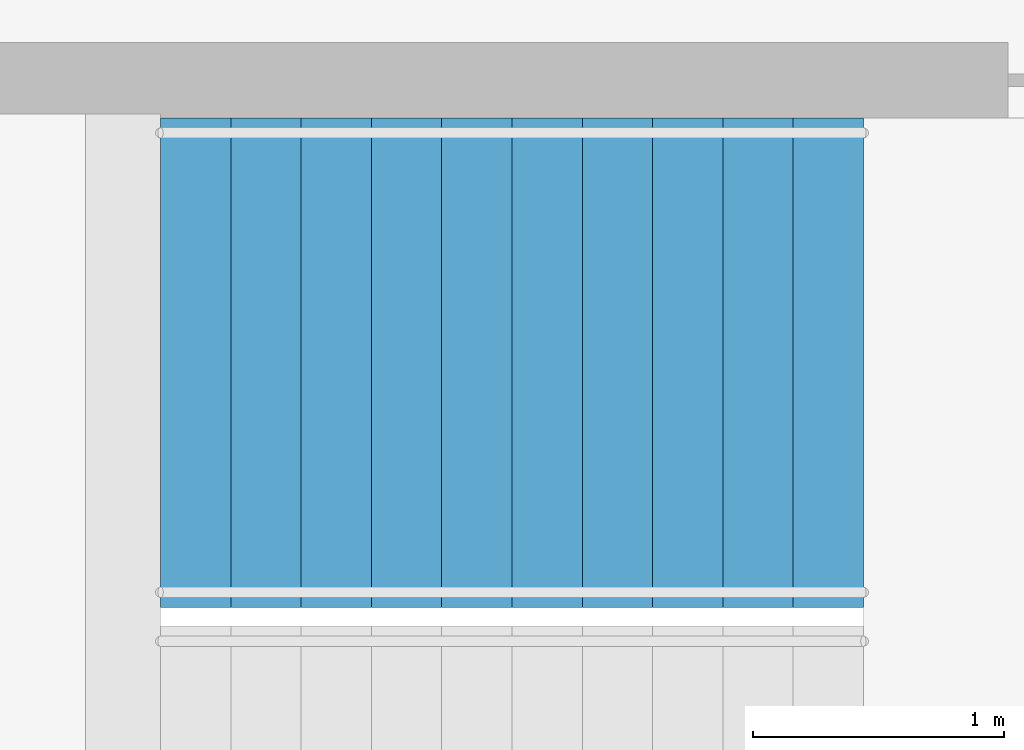
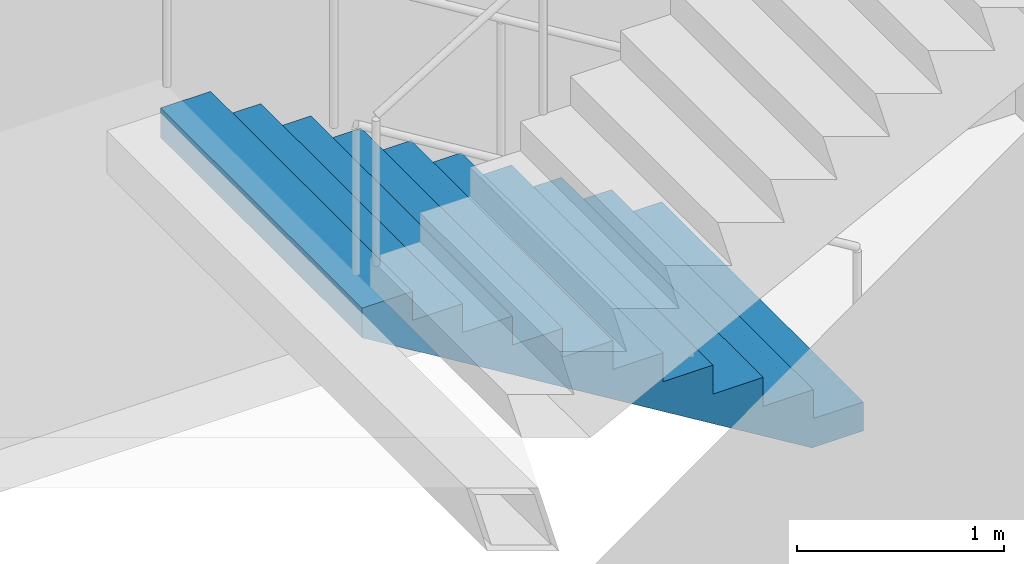
# One storey, part 19 of 20: 1 stair flight, 1 element without a shape of its own.
"""IFC4 building model written with IfcOpenShell, lengths in metres."""

from ifc_helpers import new_model, si_unit, direction, frame, origin, place, context, subcontext, project, spatial, triangles, material, type_object, element, aggregate, save


model = new_model("IFC4")

# Units and contexts
model_context = context("Model", 3, precision=1e-05, world=origin(), true_north=direction((0.0, 1.0)))
body_context = subcontext(model_context, "Body", "Model", "MODEL_VIEW")
ifc_project = project(units=[si_unit("LENGTHUNIT", "METRE"), si_unit("AREAUNIT", "SQUARE_METRE"), si_unit("VOLUMEUNIT", "CUBIC_METRE"), si_unit("PLANEANGLEUNIT", "RADIAN"), si_unit("MASSUNIT", "GRAM", prefix="KILO")], contexts=[model_context])

# Site, building, storey
site_placement = place(None, origin())
site = spatial("IfcSite", under=ifc_project, at=site_placement, CompositionType="ELEMENT")
building_placement = place(site_placement, origin())
building = spatial("IfcBuilding", under=site, at=building_placement, Name="Orbita Commons", CompositionType="ELEMENT")
storey_placement = place(building_placement, frame((0.0, 0.0, 129.39990234375)))
storey = spatial("IfcBuildingStorey", under=building, at=storey_placement, Name="L32", CompositionType="ELEMENT", Elevation=129.39990234375)

# Stair, stair flight
ifc_material_1 = material(Name="Precast concrete C40/50", Category="concrete")
stair_type = type_object("IfcStairType", Name="Exit stair S2 2 flights 11 risers 170", PredefinedType="HALF_TURN_STAIR", material=ifc_material_1)
stair_placement = place(storey_placement, origin())
stair = element("IfcStair", 1, at=stair_placement, inside=storey, type_object=stair_type, Name="Exit stair S2 L32", PredefinedType="HALF_TURN_STAIR")
ifc_material_2 = material(Name="Precast concrete C40/50", Category="concrete")
stair_flight_type = type_object("IfcStairFlightType", Name="Stair flight 11 risers 170 x 280", PredefinedType="STRAIGHT", material=ifc_material_2)
stair_flight_placement = place(storey_placement, frame((63.550048828125, 29.27490234375, 0.0), z_axis=(0.0, 0.0, 1.0), x_axis=(-1.0, 0.0, 0.0)))
stair_flight = element("IfcStairFlight", 2, at=stair_flight_placement, type_object=stair_flight_type, Name="S2 flight 1", NumberOfRisers=11, NumberOfTreads=10, PredefinedType="STRAIGHT", RiserHeight=0.170454545, TreadLength=0.28, context=body_context, shape_type="Tessellation", body=[
    triangles([(0.0, 0.974976, 0.0), (0.0, 0.974976, 0.021307), (0.0, 0.81248, 0.021307), (0.0, 0.81248, 0.0), (0.0, 0.649984, 0.021307), (0.0, 0.649984, 0.0), (0.0, 0.487488, 0.021307), (0.0, 0.487488, 0.0), (0.0, 0.324992, 0.021307), (0.0, 0.324992, 0.0), (0.0, 0.162496, 0.021307), (0.0, 0.162496, 0.0), (0.0, 0.0, 0.021307), (0.0, 0.0, 0.0), (0.0, -0.162496, 0.021307), (0.0, -0.162496, 0.0), (0.0, -0.324992, 0.021307), (0.0, -0.324992, 0.0), (0.0, -0.487488, 0.021307), (0.0, -0.487488, 0.0), (0.0, -0.649984, 0.021307), (0.0, -0.649984, 0.0), (0.0, -0.81248, 0.021307), (0.0, -0.81248, 0.0), (0.0, -0.974976, 0.021307), (0.0, -0.974976, 0.0), (0.0, 0.974976, 0.042614), (0.0, 0.81248, 0.042614), (0.0, 0.649984, 0.042614), (0.0, 0.487488, 0.042614), (0.0, 0.324992, 0.042614), (0.0, 0.162496, 0.042614), (0.0, 0.0, 0.042614), (0.0, -0.162496, 0.042614), (0.0, -0.324992, 0.042614), (0.0, -0.487488, 0.042614), (0.0, -0.649984, 0.042614), (0.0, -0.81248, 0.042614), (0.0, -0.974976, 0.042614), (0.0, 0.974976, 0.06392), (0.0, 0.81248, 0.06392), (0.0, 0.649984, 0.06392), (0.0, 0.487488, 0.06392), (0.0, 0.324992, 0.06392), (0.0, 0.162496, 0.06392), (0.0, 0.0, 0.06392), (0.0, -0.162496, 0.06392), (0.0, -0.324992, 0.06392), (0.0, -0.487488, 0.06392), (0.0, -0.649984, 0.06392), (0.0, -0.81248, 0.06392), (0.0, -0.974976, 0.06392), (0.0, 0.974976, 0.085227), (0.0, 0.81248, 0.085227), (0.0, 0.649984, 0.085227), (0.0, 0.487488, 0.085227), (0.0, 0.324992, 0.085227), (0.0, 0.162496, 0.085227), (0.0, 0.0, 0.085227), (0.0, -0.162496, 0.085227), (0.0, -0.324992, 0.085227), (0.0, -0.487488, 0.085227), (0.0, -0.649984, 0.085227), (0.0, -0.81248, 0.085227), (0.0, -0.974976, 0.085227), (0.0, 0.974976, 0.106534), (0.0, 0.81248, 0.106534), (0.0, 0.649984, 0.106534), (0.0, 0.487488, 0.106534), (0.0, 0.324992, 0.106534), (0.0, 0.162496, 0.106534), (0.0, 0.0, 0.106534), (0.0, -0.162496, 0.106534), (0.0, -0.324992, 0.106534), (0.0, -0.487488, 0.106534), (0.0, -0.649984, 0.106534), (0.0, -0.81248, 0.106534), (0.0, -0.974976, 0.106534), (0.0, 0.974976, 0.127841), (0.0, 0.81248, 0.127841), (0.0, 0.649984, 0.127841), (0.0, 0.487488, 0.127841), (0.0, 0.324992, 0.127841), (0.0, 0.162496, 0.127841), (0.0, 0.0, 0.127841), (0.0, -0.162496, 0.127841), (0.0, -0.324992, 0.127841), (0.0, -0.487488, 0.127841), (0.0, -0.649984, 0.127841), (0.0, -0.81248, 0.127841), (0.0, -0.974976, 0.127841), (0.0, 0.974976, 0.149148), (0.0, 0.81248, 0.149148), (0.0, 0.649984, 0.149148), (0.0, 0.487488, 0.149148), (0.0, 0.324992, 0.149148), (0.0, 0.162496, 0.149148), (0.0, 0.0, 0.149148), (0.0, -0.162496, 0.149148), (0.0, -0.324992, 0.149148), (0.0, -0.487488, 0.149148), (0.0, -0.649984, 0.149148), (0.0, -0.81248, 0.149148), (0.0, -0.974976, 0.149148), (0.0, 0.974976, 0.170455), (0.0, 0.81248, 0.170455), (0.0, 0.649984, 0.170455), (0.0, 0.487488, 0.170455), (0.0, 0.324992, 0.170455), (0.0, 0.162496, 0.170455), (0.0, 0.0, 0.170455), (0.0, -0.162496, 0.170455), (0.0, -0.324992, 0.170455), (0.0, -0.487488, 0.170455), (0.0, -0.649984, 0.170455), (0.0, -0.81248, 0.170455), (0.0, -0.974976, 0.170455), (0.28, 0.974976, 0.170455), (0.28, 0.81248, 0.170455), (0.28, 0.649984, 0.170455), (0.28, 0.487488, 0.170455), (0.28, 0.324992, 0.170455), (0.28, 0.162496, 0.170455), (0.28, 0.0, 0.170455), (0.28, -0.162496, 0.170455), (0.28, -0.324992, 0.170455), (0.28, -0.487488, 0.170455), (0.28, -0.649984, 0.170455), (0.28, -0.81248, 0.170455), (0.28, -0.974976, 0.170455), (0.28, 0.974976, 0.340909), (0.28, 0.81248, 0.340909), (0.28, 0.649984, 0.340909), (0.28, 0.487488, 0.340909), (0.28, 0.324992, 0.340909), (0.28, 0.162496, 0.340909), (0.28, 0.0, 0.340909), (0.28, -0.162496, 0.340909), (0.28, -0.324992, 0.340909), (0.28, -0.487488, 0.340909), (0.28, -0.649984, 0.340909), (0.28, -0.81248, 0.340909), (0.28, -0.974976, 0.340909), (0.56, 0.974976, 0.340909), (0.56, 0.81248, 0.340909), (0.56, 0.649984, 0.340909), (0.56, 0.487488, 0.340909), (0.56, 0.324992, 0.340909), (0.56, 0.162496, 0.340909), (0.56, 0.0, 0.340909), (0.56, -0.162496, 0.340909), (0.56, -0.324992, 0.340909), (0.56, -0.487488, 0.340909), (0.56, -0.649984, 0.340909), (0.56, -0.81248, 0.340909), (0.56, -0.974976, 0.340909), (0.56, 0.974976, 0.511364), (0.56, 0.81248, 0.511364), (0.56, 0.649984, 0.511364), (0.56, 0.487488, 0.511364), (0.56, 0.324992, 0.511364), (0.56, 0.162496, 0.511364), (0.56, 0.0, 0.511364), (0.56, -0.162496, 0.511364), (0.56, -0.324992, 0.511364), (0.56, -0.487488, 0.511364), (0.56, -0.649984, 0.511364), (0.56, -0.81248, 0.511364), (0.56, -0.974976, 0.511364), (0.84, 0.974976, 0.511364), (0.84, 0.81248, 0.511364), (0.84, 0.649984, 0.511364), (0.84, 0.487488, 0.511364), (0.84, 0.324992, 0.511364), (0.84, 0.162496, 0.511364), (0.84, 0.0, 0.511364), (0.84, -0.162496, 0.511364), (0.84, -0.324992, 0.511364), (0.84, -0.487488, 0.511364), (0.84, -0.649984, 0.511364), (0.84, -0.81248, 0.511364), (0.84, -0.974976, 0.511364), (0.84, 0.974976, 0.681818), (0.84, 0.81248, 0.681818), (0.84, 0.649984, 0.681818), (0.84, 0.487488, 0.681818), (0.84, 0.324992, 0.681818), (0.84, 0.162496, 0.681818), (0.84, 0.0, 0.681818), (0.84, -0.162496, 0.681818), (0.84, -0.324992, 0.681818), (0.84, -0.487488, 0.681818), (0.84, -0.649984, 0.681818), (0.84, -0.81248, 0.681818), (0.84, -0.974976, 0.681818), (1.12, 0.974976, 0.681818), (1.12, 0.81248, 0.681818), (1.12, 0.649984, 0.681818), (1.12, 0.487488, 0.681818), (1.12, 0.324992, 0.681818), (1.12, 0.162496, 0.681818), (1.12, 0.0, 0.681818), (1.12, -0.162496, 0.681818), (1.12, -0.324992, 0.681818), (1.12, -0.487488, 0.681818), (1.12, -0.649984, 0.681818), (1.12, -0.81248, 0.681818), (1.12, -0.974976, 0.681818), (1.12, 0.974976, 0.852273), (1.12, 0.81248, 0.852273), (1.12, 0.649984, 0.852273), (1.12, 0.487488, 0.852273), (1.12, 0.324992, 0.852273), (1.12, 0.162496, 0.852273), (1.12, 0.0, 0.852273), (1.12, -0.162496, 0.852273), (1.12, -0.324992, 0.852273), (1.12, -0.487488, 0.852273), (1.12, -0.649984, 0.852273), (1.12, -0.81248, 0.852273), (1.12, -0.974976, 0.852273), (1.4, 0.974976, 0.852273), (1.4, 0.81248, 0.852273), (1.4, 0.649984, 0.852273), (1.4, 0.487488, 0.852273), (1.4, 0.324992, 0.852273), (1.4, 0.162496, 0.852273), (1.4, 0.0, 0.852273), (1.4, -0.162496, 0.852273), (1.4, -0.324992, 0.852273), (1.4, -0.487488, 0.852273), (1.4, -0.649984, 0.852273), (1.4, -0.81248, 0.852273), (1.4, -0.974976, 0.852273), (1.4, 0.974976, 1.022727), (1.4, 0.81248, 1.022727), (1.4, 0.649984, 1.022727), (1.4, 0.487488, 1.022727), (1.4, 0.324992, 1.022727), (1.4, 0.162496, 1.022727), (1.4, 0.0, 1.022727), (1.4, -0.162496, 1.022727), (1.4, -0.324992, 1.022727), (1.4, -0.487488, 1.022727), (1.4, -0.649984, 1.022727), (1.4, -0.81248, 1.022727), (1.4, -0.974976, 1.022727), (1.68, 0.974976, 1.022727), (1.68, 0.81248, 1.022727), (1.68, 0.649984, 1.022727), (1.68, 0.487488, 1.022727), (1.68, 0.324992, 1.022727), (1.68, 0.162496, 1.022727), (1.68, 0.0, 1.022727), (1.68, -0.162496, 1.022727), (1.68, -0.324992, 1.022727), (1.68, -0.487488, 1.022727), (1.68, -0.649984, 1.022727), (1.68, -0.81248, 1.022727), (1.68, -0.974976, 1.022727), (1.68, 0.974976, 1.193182), (1.68, 0.81248, 1.193182), (1.68, 0.649984, 1.193182), (1.68, 0.487488, 1.193182), (1.68, 0.324992, 1.193182), (1.68, 0.162496, 1.193182), (1.68, 0.0, 1.193182), (1.68, -0.162496, 1.193182), (1.68, -0.324992, 1.193182), (1.68, -0.487488, 1.193182), (1.68, -0.649984, 1.193182), (1.68, -0.81248, 1.193182), (1.68, -0.974976, 1.193182), (1.96, 0.974976, 1.193182), (1.96, 0.81248, 1.193182), (1.96, 0.649984, 1.193182), (1.96, 0.487488, 1.193182), (1.96, 0.324992, 1.193182), (1.96, 0.162496, 1.193182), (1.96, 0.0, 1.193182), (1.96, -0.162496, 1.193182), (1.96, -0.324992, 1.193182), (1.96, -0.487488, 1.193182), (1.96, -0.649984, 1.193182), (1.96, -0.81248, 1.193182), (1.96, -0.974976, 1.193182), (1.96, 0.974976, 1.363636), (1.96, 0.81248, 1.363636), (1.96, 0.649984, 1.363636), (1.96, 0.487488, 1.363636), (1.96, 0.324992, 1.363636), (1.96, 0.162496, 1.363636), (1.96, 0.0, 1.363636), (1.96, -0.162496, 1.363636), (1.96, -0.324992, 1.363636), (1.96, -0.487488, 1.363636), (1.96, -0.649984, 1.363636), (1.96, -0.81248, 1.363636), (1.96, -0.974976, 1.363636), (2.24, 0.974976, 1.363636), (2.24, 0.81248, 1.363636), (2.24, 0.649984, 1.363636), (2.24, 0.487488, 1.363636), (2.24, 0.324992, 1.363636), (2.24, 0.162496, 1.363636), (2.24, 0.0, 1.363636), (2.24, -0.162496, 1.363636), (2.24, -0.324992, 1.363636), (2.24, -0.487488, 1.363636), (2.24, -0.649984, 1.363636), (2.24, -0.81248, 1.363636), (2.24, -0.974976, 1.363636), (2.24, 0.974976, 1.534091), (2.24, 0.81248, 1.534091), (2.24, 0.649984, 1.534091), (2.24, 0.487488, 1.534091), (2.24, 0.324992, 1.534091), (2.24, 0.162496, 1.534091), (2.24, 0.0, 1.534091), (2.24, -0.162496, 1.534091), (2.24, -0.324992, 1.534091), (2.24, -0.487488, 1.534091), (2.24, -0.649984, 1.534091), (2.24, -0.81248, 1.534091), (2.24, -0.974976, 1.534091), (2.52, 0.974976, 1.534091), (2.52, 0.81248, 1.534091), (2.52, 0.649984, 1.534091), (2.52, 0.487488, 1.534091), (2.52, 0.324992, 1.534091), (2.52, 0.162496, 1.534091), (2.52, 0.0, 1.534091), (2.52, -0.162496, 1.534091), (2.52, -0.324992, 1.534091), (2.52, -0.487488, 1.534091), (2.52, -0.649984, 1.534091), (2.52, -0.81248, 1.534091), (2.52, -0.974976, 1.534091), (2.52, 0.974976, 1.704545), (2.52, 0.81248, 1.704545), (2.52, 0.649984, 1.704545), (2.52, 0.487488, 1.704545), (2.52, 0.324992, 1.704545), (2.52, 0.162496, 1.704545), (2.52, 0.0, 1.704545), (2.52, -0.162496, 1.704545), (2.52, -0.324992, 1.704545), (2.52, -0.487488, 1.704545), (2.52, -0.649984, 1.704545), (2.52, -0.81248, 1.704545), (2.52, -0.974976, 1.704545), (2.8, 0.974976, 1.704545), (2.8, 0.81248, 1.704545), (2.8, 0.649984, 1.704545), (2.8, 0.487488, 1.704545), (2.8, 0.324992, 1.704545), (2.8, 0.162496, 1.704545), (2.8, 0.0, 1.704545), (2.8, -0.162496, 1.704545), (2.8, -0.324992, 1.704545), (2.8, -0.487488, 1.704545), (2.8, -0.649984, 1.704545), (2.8, -0.81248, 1.704545), (2.8, -0.974976, 1.704545), (2.8, 0.974976, 1.682609), (2.8, 0.81248, 1.682609), (2.8, 0.649984, 1.682609), (2.8, 0.487488, 1.682609), (2.8, 0.324992, 1.682609), (2.8, 0.162496, 1.682609), (2.8, 0.0, 1.682609), (2.8, -0.162496, 1.682609), (2.8, -0.324992, 1.682609), (2.8, -0.487488, 1.682609), (2.8, -0.649984, 1.682609), (2.8, -0.81248, 1.682609), (2.8, -0.974976, 1.682609), (2.8, 0.974976, 1.660672), (2.8, 0.81248, 1.660672), (2.8, 0.649984, 1.660672), (2.8, 0.487488, 1.660672), (2.8, 0.324992, 1.660672), (2.8, 0.162496, 1.660672), (2.8, 0.0, 1.660672), (2.8, -0.162496, 1.660672), (2.8, -0.324992, 1.660672), (2.8, -0.487488, 1.660672), (2.8, -0.649984, 1.660672), (2.8, -0.81248, 1.660672), (2.8, -0.974976, 1.660672), (2.8, 0.974976, 1.638735), (2.8, 0.81248, 1.638735), (2.8, 0.649984, 1.638735), (2.8, 0.487488, 1.638735), (2.8, 0.324992, 1.638735), (2.8, 0.162496, 1.638735), (2.8, 0.0, 1.638735), (2.8, -0.162496, 1.638735), (2.8, -0.324992, 1.638735), (2.8, -0.487488, 1.638735), (2.8, -0.649984, 1.638735), (2.8, -0.81248, 1.638735), (2.8, -0.974976, 1.638735), (2.8, 0.974976, 1.616798), (2.8, 0.81248, 1.616798), (2.8, 0.649984, 1.616798), (2.8, 0.487488, 1.616798), (2.8, 0.324992, 1.616798), (2.8, 0.162496, 1.616798), (2.8, 0.0, 1.616798), (2.8, -0.162496, 1.616798), (2.8, -0.324992, 1.616798), (2.8, -0.487488, 1.616798), (2.8, -0.649984, 1.616798), (2.8, -0.81248, 1.616798), (2.8, -0.974976, 1.616798), (2.8, 0.974976, 1.594861), (2.8, 0.81248, 1.594861), (2.8, 0.649984, 1.594861), (2.8, 0.487488, 1.594861), (2.8, 0.324992, 1.594861), (2.8, 0.162496, 1.594861), (2.8, 0.0, 1.594861), (2.8, -0.162496, 1.594861), (2.8, -0.324992, 1.594861), (2.8, -0.487488, 1.594861), (2.8, -0.649984, 1.594861), (2.8, -0.81248, 1.594861), (2.8, -0.974976, 1.594861), (2.8, 0.974976, 1.572925), (2.8, 0.81248, 1.572925), (2.8, 0.649984, 1.572925), (2.8, 0.487488, 1.572925), (2.8, 0.324992, 1.572925), (2.8, 0.162496, 1.572925), (2.8, 0.0, 1.572925), (2.8, -0.162496, 1.572925), (2.8, -0.324992, 1.572925), (2.8, -0.487488, 1.572925), (2.8, -0.649984, 1.572925), (2.8, -0.81248, 1.572925), (2.8, -0.974976, 1.572925), (2.8, 0.974976, 1.550988), (2.8, 0.81248, 1.550988), (2.8, 0.649984, 1.550988), (2.8, 0.487488, 1.550988), (2.8, 0.324992, 1.550988), (2.8, 0.162496, 1.550988), (2.8, 0.0, 1.550988), (2.8, -0.162496, 1.550988), (2.8, -0.324992, 1.550988), (2.8, -0.487488, 1.550988), (2.8, -0.649984, 1.550988), (2.8, -0.81248, 1.550988), (2.8, -0.974976, 1.550988), (2.8, 0.974976, 1.529051), (2.8, 0.81248, 1.529051), (2.8, 0.649984, 1.529051), (2.8, 0.487488, 1.529051), (2.8, 0.324992, 1.529051), (2.8, 0.162496, 1.529051), (2.8, 0.0, 1.529051), (2.8, -0.162496, 1.529051), (2.8, -0.324992, 1.529051), (2.8, -0.487488, 1.529051), (2.8, -0.649984, 1.529051), (2.8, -0.81248, 1.529051), (2.8, -0.974976, 1.529051), (0.288279, 0.974976, 0.0), (0.288279, 0.81248, 0.0), (0.288279, 0.649984, 0.0), (0.288279, 0.487488, 0.0), (0.288279, 0.324992, 0.0), (0.288279, 0.162496, 0.0), (0.288279, 0.0, 0.0), (0.288279, -0.162496, 0.0), (0.288279, -0.324992, 0.0), (0.288279, -0.487488, 0.0), (0.288279, -0.649984, 0.0), (0.288279, -0.81248, 0.0), (0.288279, -0.974976, 0.0)], [[3, 2, 1], [4, 3, 1], [5, 3, 4], [6, 5, 4], [7, 5, 6], [8, 7, 6], [9, 7, 8], [10, 9, 8], [11, 9, 10], [12, 11, 10], [13, 11, 12], [14, 13, 12], [15, 13, 14], [16, 15, 14], [17, 15, 16], [18, 17, 16], [19, 17, 18], [20, 19, 18], [21, 19, 20], [22, 21, 20], [23, 21, 22], [24, 23, 22], [25, 23, 24], [26, 25, 24], [28, 27, 2], [3, 28, 2], [29, 28, 3], [5, 29, 3], [30, 29, 5], [7, 30, 5], [31, 30, 7], [9, 31, 7], [32, 31, 9], [11, 32, 9], [33, 32, 11], [13, 33, 11], [34, 33, 13], [15, 34, 13], [35, 34, 15], [17, 35, 15], [36, 35, 17], [19, 36, 17], [37, 36, 19], [21, 37, 19], [38, 37, 21], [23, 38, 21], [39, 38, 23], [25, 39, 23], [41, 40, 27], [28, 41, 27], [42, 41, 28], [29, 42, 28], [43, 42, 29], [30, 43, 29], [44, 43, 30], [31, 44, 30], [45, 44, 31], [32, 45, 31], [46, 45, 32], [33, 46, 32], [47, 46, 33], [34, 47, 33], [48, 47, 34], [35, 48, 34], [49, 48, 35], [36, 49, 35], [50, 49, 36], [37, 50, 36], [51, 50, 37], [38, 51, 37], [52, 51, 38], [39, 52, 38], [54, 53, 40], [41, 54, 40], [55, 54, 41], [42, 55, 41], [56, 55, 42], [43, 56, 42], [57, 56, 43], [44, 57, 43], [58, 57, 44], [45, 58, 44], [59, 58, 45], [46, 59, 45], [60, 59, 46], [47, 60, 46], [61, 60, 47], [48, 61, 47], [62, 61, 48], [49, 62, 48], [63, 62, 49], [50, 63, 49], [64, 63, 50], [51, 64, 50], [65, 64, 51], [52, 65, 51], [67, 66, 53], [54, 67, 53], [68, 67, 54], [55, 68, 54], [69, 68, 55], [56, 69, 55], [70, 69, 56], [57, 70, 56], [71, 70, 57], [58, 71, 57], [72, 71, 58], [59, 72, 58], [73, 72, 59], [60, 73, 59], [74, 73, 60], [61, 74, 60], [75, 74, 61], [62, 75, 61], [76, 75, 62], [63, 76, 62], [77, 76, 63], [64, 77, 63], [78, 77, 64], [65, 78, 64], [80, 79, 66], [67, 80, 66], [81, 80, 67], [68, 81, 67], [82, 81, 68], [69, 82, 68], [83, 82, 69], [70, 83, 69], [84, 83, 70], [71, 84, 70], [85, 84, 71], [72, 85, 71], [86, 85, 72], [73, 86, 72], [87, 86, 73], [74, 87, 73], [88, 87, 74], [75, 88, 74], [89, 88, 75], [76, 89, 75], [90, 89, 76], [77, 90, 76], [91, 90, 77], [78, 91, 77], [93, 92, 79], [80, 93, 79], [94, 93, 80], [81, 94, 80], [95, 94, 81], [82, 95, 81], [96, 95, 82], [83, 96, 82], [97, 96, 83], [84, 97, 83], [98, 97, 84], [85, 98, 84], [99, 98, 85], [86, 99, 85], [100, 99, 86], [87, 100, 86], [101, 100, 87], [88, 101, 87], [102, 101, 88], [89, 102, 88], [103, 102, 89], [90, 103, 89], [104, 103, 90], [91, 104, 90], [106, 105, 92], [93, 106, 92], [107, 106, 93], [94, 107, 93], [108, 107, 94], [95, 108, 94], [109, 108, 95], [96, 109, 95], [110, 109, 96], [97, 110, 96], [111, 110, 97], [98, 111, 97], [112, 111, 98], [99, 112, 98], [113, 112, 99], [100, 113, 99], [114, 113, 100], [101, 114, 100], [115, 114, 101], [102, 115, 101], [116, 115, 102], [103, 116, 102], [117, 116, 103], [104, 117, 103], [119, 118, 105], [106, 119, 105], [120, 119, 106], [107, 120, 106], [121, 120, 107], [108, 121, 107], [122, 121, 108], [109, 122, 108], [123, 122, 109], [110, 123, 109], [124, 123, 110], [111, 124, 110], [125, 124, 111], [112, 125, 111], [126, 125, 112], [113, 126, 112], [127, 126, 113], [114, 127, 113], [128, 127, 114], [115, 128, 114], [129, 128, 115], [116, 129, 115], [130, 129, 116], [117, 130, 116], [132, 131, 118], [119, 132, 118], [133, 132, 119], [120, 133, 119], [134, 133, 120], [121, 134, 120], [135, 134, 121], [122, 135, 121], [136, 135, 122], [123, 136, 122], [137, 136, 123], [124, 137, 123], [138, 137, 124], [125, 138, 124], [139, 138, 125], [126, 139, 125], [140, 139, 126], [127, 140, 126], [141, 140, 127], [128, 141, 127], [142, 141, 128], [129, 142, 128], [143, 142, 129], [130, 143, 129], [145, 144, 131], [132, 145, 131], [146, 145, 132], [133, 146, 132], [147, 146, 133], [134, 147, 133], [148, 147, 134], [135, 148, 134], [149, 148, 135], [136, 149, 135], [150, 149, 136], [137, 150, 136], [151, 150, 137], [138, 151, 137], [152, 151, 138], [139, 152, 138], [153, 152, 139], [140, 153, 139], [154, 153, 140], [141, 154, 140], [155, 154, 141], [142, 155, 141], [156, 155, 142], [143, 156, 142], [158, 157, 144], [145, 158, 144], [159, 158, 145], [146, 159, 145], [160, 159, 146], [147, 160, 146], [161, 160, 147], [148, 161, 147], [162, 161, 148], [149, 162, 148], [163, 162, 149], [150, 163, 149], [164, 163, 150], [151, 164, 150], [165, 164, 151], [152, 165, 151], [166, 165, 152], [153, 166, 152], [167, 166, 153], [154, 167, 153], [168, 167, 154], [155, 168, 154], [169, 168, 155], [156, 169, 155], [171, 170, 157], [158, 171, 157], [172, 171, 158], [159, 172, 158], [173, 172, 159], [160, 173, 159], [174, 173, 160], [161, 174, 160], [175, 174, 161], [162, 175, 161], [176, 175, 162], [163, 176, 162], [177, 176, 163], [164, 177, 163], [178, 177, 164], [165, 178, 164], [179, 178, 165], [166, 179, 165], [180, 179, 166], [167, 180, 166], [181, 180, 167], [168, 181, 167], [182, 181, 168], [169, 182, 168], [184, 183, 170], [171, 184, 170], [185, 184, 171], [172, 185, 171], [186, 185, 172], [173, 186, 172], [187, 186, 173], [174, 187, 173], [188, 187, 174], [175, 188, 174], [189, 188, 175], [176, 189, 175], [190, 189, 176], [177, 190, 176], [191, 190, 177], [178, 191, 177], [192, 191, 178], [179, 192, 178], [193, 192, 179], [180, 193, 179], [194, 193, 180], [181, 194, 180], [195, 194, 181], [182, 195, 181], [197, 196, 183], [184, 197, 183], [198, 197, 184], [185, 198, 184], [199, 198, 185], [186, 199, 185], [200, 199, 186], [187, 200, 186], [201, 200, 187], [188, 201, 187], [202, 201, 188], [189, 202, 188], [203, 202, 189], [190, 203, 189], [204, 203, 190], [191, 204, 190], [205, 204, 191], [192, 205, 191], [206, 205, 192], [193, 206, 192], [207, 206, 193], [194, 207, 193], [208, 207, 194], [195, 208, 194], [210, 209, 196], [197, 210, 196], [211, 210, 197], [198, 211, 197], [212, 211, 198], [199, 212, 198], [213, 212, 199], [200, 213, 199], [214, 213, 200], [201, 214, 200], [215, 214, 201], [202, 215, 201], [216, 215, 202], [203, 216, 202], [217, 216, 203], [204, 217, 203], [218, 217, 204], [205, 218, 204], [219, 218, 205], [206, 219, 205], [220, 219, 206], [207, 220, 206], [221, 220, 207], [208, 221, 207], [223, 222, 209], [210, 223, 209], [224, 223, 210], [211, 224, 210], [225, 224, 211], [212, 225, 211], [226, 225, 212], [213, 226, 212], [227, 226, 213], [214, 227, 213], [228, 227, 214], [215, 228, 214], [229, 228, 215], [216, 229, 215], [230, 229, 216], [217, 230, 216], [231, 230, 217], [218, 231, 217], [232, 231, 218], [219, 232, 218], [233, 232, 219], [220, 233, 219], [234, 233, 220], [221, 234, 220], [236, 235, 222], [223, 236, 222], [237, 236, 223], [224, 237, 223], [238, 237, 224], [225, 238, 224], [239, 238, 225], [226, 239, 225], [240, 239, 226], [227, 240, 226], [241, 240, 227], [228, 241, 227], [242, 241, 228], [229, 242, 228], [243, 242, 229], [230, 243, 229], [244, 243, 230], [231, 244, 230], [245, 244, 231], [232, 245, 231], [246, 245, 232], [233, 246, 232], [247, 246, 233], [234, 247, 233], [249, 248, 235], [236, 249, 235], [250, 249, 236], [237, 250, 236], [251, 250, 237], [238, 251, 237], [252, 251, 238], [239, 252, 238], [253, 252, 239], [240, 253, 239], [254, 253, 240], [241, 254, 240], [255, 254, 241], [242, 255, 241], [256, 255, 242], [243, 256, 242], [257, 256, 243], [244, 257, 243], [258, 257, 244], [245, 258, 244], [259, 258, 245], [246, 259, 245], [260, 259, 246], [247, 260, 246], [262, 261, 248], [249, 262, 248], [263, 262, 249], [250, 263, 249], [264, 263, 250], [251, 264, 250], [265, 264, 251], [252, 265, 251], [266, 265, 252], [253, 266, 252], [267, 266, 253], [254, 267, 253], [268, 267, 254], [255, 268, 254], [269, 268, 255], [256, 269, 255], [270, 269, 256], [257, 270, 256], [271, 270, 257], [258, 271, 257], [272, 271, 258], [259, 272, 258], [273, 272, 259], [260, 273, 259], [275, 274, 261], [262, 275, 261], [276, 275, 262], [263, 276, 262], [277, 276, 263], [264, 277, 263], [278, 277, 264], [265, 278, 264], [279, 278, 265], [266, 279, 265], [280, 279, 266], [267, 280, 266], [281, 280, 267], [268, 281, 267], [282, 281, 268], [269, 282, 268], [283, 282, 269], [270, 283, 269], [284, 283, 270], [271, 284, 270], [285, 284, 271], [272, 285, 271], [286, 285, 272], [273, 286, 272], [288, 287, 274], [275, 288, 274], [289, 288, 275], [276, 289, 275], [290, 289, 276], [277, 290, 276], [291, 290, 277], [278, 291, 277], [292, 291, 278], [279, 292, 278], [293, 292, 279], [280, 293, 279], [294, 293, 280], [281, 294, 280], [295, 294, 281], [282, 295, 281], [296, 295, 282], [283, 296, 282], [297, 296, 283], [284, 297, 283], [298, 297, 284], [285, 298, 284], [299, 298, 285], [286, 299, 285], [301, 300, 287], [288, 301, 287], [302, 301, 288], [289, 302, 288], [303, 302, 289], [290, 303, 289], [304, 303, 290], [291, 304, 290], [305, 304, 291], [292, 305, 291], [306, 305, 292], [293, 306, 292], [307, 306, 293], [294, 307, 293], [308, 307, 294], [295, 308, 294], [309, 308, 295], [296, 309, 295], [310, 309, 296], [297, 310, 296], [311, 310, 297], [298, 311, 297], [312, 311, 298], [299, 312, 298], [314, 313, 300], [301, 314, 300], [315, 314, 301], [302, 315, 301], [316, 315, 302], [303, 316, 302], [317, 316, 303], [304, 317, 303], [318, 317, 304], [305, 318, 304], [319, 318, 305], [306, 319, 305], [320, 319, 306], [307, 320, 306], [321, 320, 307], [308, 321, 307], [322, 321, 308], [309, 322, 308], [323, 322, 309], [310, 323, 309], [324, 323, 310], [311, 324, 310], [325, 324, 311], [312, 325, 311], [327, 326, 313], [314, 327, 313], [328, 327, 314], [315, 328, 314], [329, 328, 315], [316, 329, 315], [330, 329, 316], [317, 330, 316], [331, 330, 317], [318, 331, 317], [332, 331, 318], [319, 332, 318], [333, 332, 319], [320, 333, 319], [334, 333, 320], [321, 334, 320], [335, 334, 321], [322, 335, 321], [336, 335, 322], [323, 336, 322], [337, 336, 323], [324, 337, 323], [338, 337, 324], [325, 338, 324], [340, 339, 326], [327, 340, 326], [341, 340, 327], [328, 341, 327], [342, 341, 328], [329, 342, 328], [343, 342, 329], [330, 343, 329], [344, 343, 330], [331, 344, 330], [345, 344, 331], [332, 345, 331], [346, 345, 332], [333, 346, 332], [347, 346, 333], [334, 347, 333], [348, 347, 334], [335, 348, 334], [349, 348, 335], [336, 349, 335], [350, 349, 336], [337, 350, 336], [351, 350, 337], [338, 351, 337], [353, 352, 339], [340, 353, 339], [354, 353, 340], [341, 354, 340], [355, 354, 341], [342, 355, 341], [356, 355, 342], [343, 356, 342], [357, 356, 343], [344, 357, 343], [358, 357, 344], [345, 358, 344], [359, 358, 345], [346, 359, 345], [360, 359, 346], [347, 360, 346], [361, 360, 347], [348, 361, 347], [362, 361, 348], [349, 362, 348], [363, 362, 349], [350, 363, 349], [364, 363, 350], [351, 364, 350], [366, 365, 352], [353, 366, 352], [367, 366, 353], [354, 367, 353], [368, 367, 354], [355, 368, 354], [369, 368, 355], [356, 369, 355], [370, 369, 356], [357, 370, 356], [371, 370, 357], [358, 371, 357], [372, 371, 358], [359, 372, 358], [373, 372, 359], [360, 373, 359], [374, 373, 360], [361, 374, 360], [375, 374, 361], [362, 375, 361], [376, 375, 362], [363, 376, 362], [377, 376, 363], [364, 377, 363], [379, 378, 365], [366, 379, 365], [380, 379, 366], [367, 380, 366], [381, 380, 367], [368, 381, 367], [382, 381, 368], [369, 382, 368], [383, 382, 369], [370, 383, 369], [384, 383, 370], [371, 384, 370], [385, 384, 371], [372, 385, 371], [386, 385, 372], [373, 386, 372], [387, 386, 373], [374, 387, 373], [388, 387, 374], [375, 388, 374], [389, 388, 375], [376, 389, 375], [390, 389, 376], [377, 390, 376], [392, 391, 378], [379, 392, 378], [393, 392, 379], [380, 393, 379], [394, 393, 380], [381, 394, 380], [395, 394, 381], [382, 395, 381], [396, 395, 382], [383, 396, 382], [397, 396, 383], [384, 397, 383], [398, 397, 384], [385, 398, 384], [399, 398, 385], [386, 399, 385], [400, 399, 386], [387, 400, 386], [401, 400, 387], [388, 401, 387], [402, 401, 388], [389, 402, 388], [403, 402, 389], [390, 403, 389], [405, 404, 391], [392, 405, 391], [406, 405, 392], [393, 406, 392], [407, 406, 393], [394, 407, 393], [408, 407, 394], [395, 408, 394], [409, 408, 395], [396, 409, 395], [410, 409, 396], [397, 410, 396], [411, 410, 397], [398, 411, 397], [412, 411, 398], [399, 412, 398], [413, 412, 399], [400, 413, 399], [414, 413, 400], [401, 414, 400], [415, 414, 401], [402, 415, 401], [416, 415, 402], [403, 416, 402], [418, 417, 404], [405, 418, 404], [419, 418, 405], [406, 419, 405], [420, 419, 406], [407, 420, 406], [421, 420, 407], [408, 421, 407], [422, 421, 408], [409, 422, 408], [423, 422, 409], [410, 423, 409], [424, 423, 410], [411, 424, 410], [425, 424, 411], [412, 425, 411], [426, 425, 412], [413, 426, 412], [427, 426, 413], [414, 427, 413], [428, 427, 414], [415, 428, 414], [429, 428, 415], [416, 429, 415], [431, 430, 417], [418, 431, 417], [432, 431, 418], [419, 432, 418], [433, 432, 419], [420, 433, 419], [434, 433, 420], [421, 434, 420], [435, 434, 421], [422, 435, 421], [436, 435, 422], [423, 436, 422], [437, 436, 423], [424, 437, 423], [438, 437, 424], [425, 438, 424], [439, 438, 425], [426, 439, 425], [440, 439, 426], [427, 440, 426], [441, 440, 427], [428, 441, 427], [442, 441, 428], [429, 442, 428], [444, 443, 430], [431, 444, 430], [445, 444, 431], [432, 445, 431], [446, 445, 432], [433, 446, 432], [447, 446, 433], [434, 447, 433], [448, 447, 434], [435, 448, 434], [449, 448, 435], [436, 449, 435], [450, 449, 436], [437, 450, 436], [451, 450, 437], [438, 451, 437], [452, 451, 438], [439, 452, 438], [453, 452, 439], [440, 453, 439], [454, 453, 440], [441, 454, 440], [455, 454, 441], [442, 455, 441], [457, 456, 443], [444, 457, 443], [458, 457, 444], [445, 458, 444], [459, 458, 445], [446, 459, 445], [460, 459, 446], [447, 460, 446], [461, 460, 447], [448, 461, 447], [462, 461, 448], [449, 462, 448], [463, 462, 449], [450, 463, 449], [464, 463, 450], [451, 464, 450], [465, 464, 451], [452, 465, 451], [466, 465, 452], [453, 466, 452], [467, 466, 453], [454, 467, 453], [468, 467, 454], [455, 468, 454], [470, 469, 456], [457, 470, 456], [471, 470, 457], [458, 471, 457], [472, 471, 458], [459, 472, 458], [473, 472, 459], [460, 473, 459], [474, 473, 460], [461, 474, 460], [475, 474, 461], [462, 475, 461], [476, 475, 462], [463, 476, 462], [477, 476, 463], [464, 477, 463], [478, 477, 464], [465, 478, 464], [479, 478, 465], [466, 479, 465], [480, 479, 466], [467, 480, 466], [481, 480, 467], [468, 481, 467], [4, 1, 469], [470, 4, 469], [6, 4, 470], [471, 6, 470], [8, 6, 471], [472, 8, 471], [10, 8, 472], [473, 10, 472], [12, 10, 473], [474, 12, 473], [14, 12, 474], [475, 14, 474], [16, 14, 475], [476, 16, 475], [18, 16, 476], [477, 18, 476], [20, 18, 477], [478, 20, 477], [22, 20, 478], [479, 22, 478], [24, 22, 479], [480, 24, 479], [26, 24, 480], [481, 26, 480], [456, 469, 1], [26, 481, 468], [443, 456, 1], [26, 468, 455], [430, 443, 1], [26, 455, 442], [417, 430, 1], [26, 442, 429], [404, 417, 1], [26, 429, 416], [391, 404, 1], [26, 416, 403], [378, 391, 1], [26, 403, 390], [365, 378, 1], [26, 390, 377], [339, 352, 365], [377, 364, 351], [326, 339, 365], [377, 351, 338], [300, 313, 326], [338, 325, 312], [300, 326, 365], [377, 338, 312], [274, 287, 300], [312, 299, 286], [274, 300, 365], [377, 312, 286], [248, 261, 274], [286, 273, 260], [248, 274, 365], [377, 286, 260], [222, 235, 248], [260, 247, 234], [222, 248, 365], [377, 260, 234], [196, 209, 222], [234, 221, 208], [196, 222, 365], [377, 234, 208], [170, 183, 196], [208, 195, 182], [170, 196, 365], [377, 208, 182], [144, 157, 170], [182, 169, 156], [144, 170, 365], [377, 182, 156], [118, 131, 144], [156, 143, 130], [118, 144, 365], [377, 156, 130], [118, 365, 1], [26, 377, 130], [92, 105, 118], [130, 117, 104], [79, 92, 118], [130, 104, 91], [66, 79, 118], [130, 91, 78], [53, 66, 118], [130, 78, 65], [40, 53, 118], [130, 65, 52], [27, 40, 118], [130, 52, 39], [2, 27, 118], [130, 39, 25], [1, 2, 118], [130, 25, 26]], closed=True),
])
aggregate(stair, [stair_flight])

save(model, "model.ifc")
